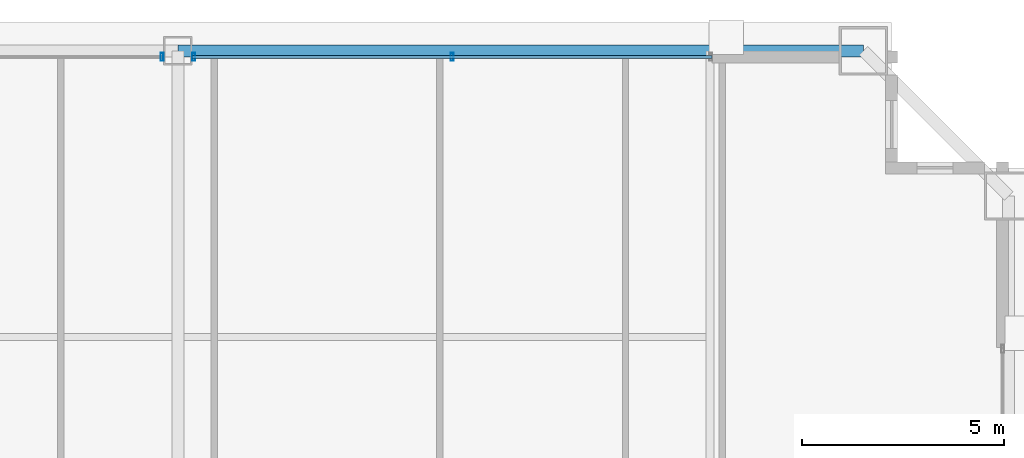
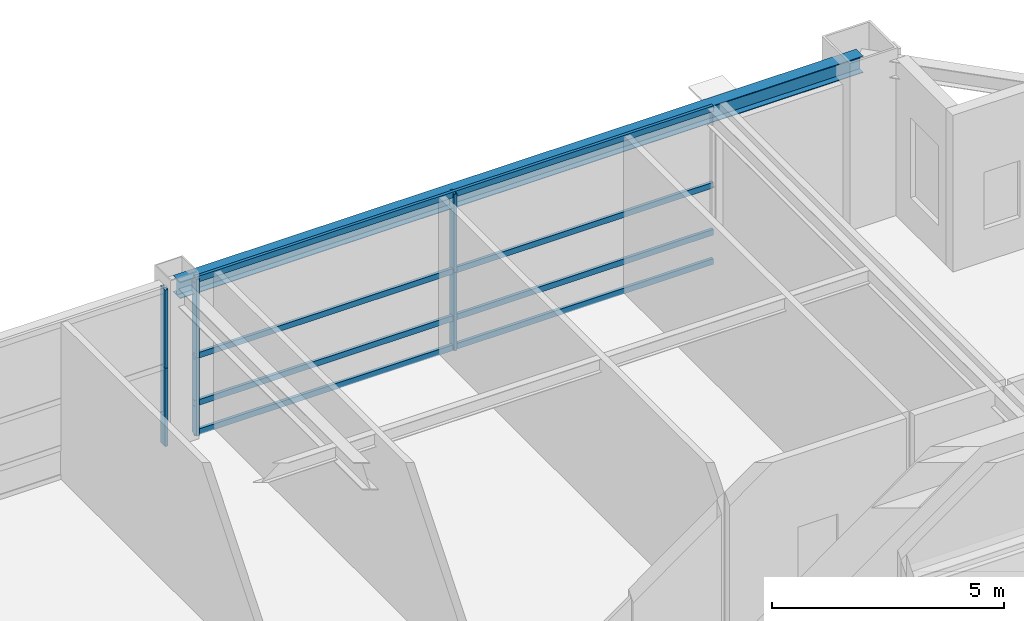
# One storey, part 20 of 26: 10 members, 1 beam, 2 elements without a shape of their own.
"""IFC4 building model written with IfcOpenShell, lengths in metres."""

from ifc_helpers import new_model, si_unit, direction, frame, origin, origin_2d, place, context, subcontext, project, spatial, hollow_rectangle, i_section, extrude, source, transform, mapped, material, layer, layer_set, material_profile, profile_set, type_object, element, aggregate, save


model = new_model("IFC4")

# Units and contexts
model_context = context("Model", 3, precision=1e-05, world=origin(), true_north=direction((0.0, 1.0)))
body_context = subcontext(model_context, "Body", "Model", "MODEL_VIEW")
ifc_project = project(units=[si_unit("LENGTHUNIT", "METRE"), si_unit("AREAUNIT", "SQUARE_METRE"), si_unit("VOLUMEUNIT", "CUBIC_METRE"), si_unit("PLANEANGLEUNIT", "RADIAN"), si_unit("MASSUNIT", "GRAM", prefix="KILO"), si_unit("THERMODYNAMICTEMPERATUREUNIT", "KELVIN"), si_unit("POWERUNIT", "WATT")], contexts=[model_context])

# Site, building, storey
site_placement = place(None, origin())
site = spatial("IfcSite", under=ifc_project, at=site_placement, CompositionType="ELEMENT")
building_placement = place(site_placement, origin())
building = spatial("IfcBuilding", under=site, at=building_placement, Name="Yuzanri Waterfront Tower", CompositionType="ELEMENT")
storey_placement = place(building_placement, frame((0.0, 0.0, 259.10009765625)))
storey = spatial("IfcBuildingStorey", under=building, at=storey_placement, Name="L69", CompositionType="ELEMENT", Elevation=259.10009765625)

# Beam
ifc_material_1 = material(Name="Steel Q355B", Category="steel")
ifc_material_profile_1 = material_profile(ifc_material_1, i_section(OverallWidth=0.300048828125, OverallDepth=0.43994140625, WebThickness=0.010986328125, FlangeThickness=0.01806640625, at=origin_2d()), Name="HM 440x300x11x18")
ifc_profile_set_1 = profile_set([ifc_material_profile_1], Name="Steel Q355B")
beam_type = type_object("IfcBeamType", Name="Perimeter Spandrel Q355B HM 440x300", PredefinedType="SPANDREL", material=ifc_profile_set_1)
shared_shape_1 = source(origin(), body_context, "Body", "SweptSolid", [
    extrude(i_section(OverallWidth=0.300048828125, OverallDepth=0.43994140625, WebThickness=0.010986328125, FlangeThickness=0.01806640625, at=origin_2d()), origin(), (0.0, 0.0, 1.0), 17.0),
])
beam_placement = place(storey_placement, frame((54.0, 46.39990234375, 3.89990234375), z_axis=(-1.0, 0.0, 0.0), x_axis=(0.0, -1.0, 0.0)))
element("IfcBeam", 1, at=beam_placement, inside=storey, type_object=beam_type, Name="L69 Perimeter Spandrel N3-N2", PredefinedType="SPANDREL", context=body_context, shape_type="MappedRepresentation", body=[
    mapped(shared_shape_1, transform((0.0, 0.0, 0.0), scale=1.0)),
])

# Curtain wall, members
ifc_material_2 = material(Name="Anodized Architectural Bronze", Category="metal")
ifc_layer = layer(ifc_material_2, 0.159912109375)
ifc_layer_set = layer_set([ifc_layer], Name="Anodized Architectural Bronze")
curtain_wall_type = type_object("IfcCurtainWallType", Name="Anodized Bronze Sky-Lobby Triple-Glazed Feature Curtain Wall 7500", PredefinedType="NOTDEFINED", material=ifc_layer_set)
curtain_wall_1_placement = place(storey_placement, origin())
curtain_wall_1 = element("IfcCurtainWall", 2, at=curtain_wall_1_placement, inside=storey, type_object=curtain_wall_type, Name="L69 Curtain Wall CW-L69-NL", PredefinedType="NOTDEFINED")
ifc_material_3 = material(Name="Anodized Architectural Bronze", Category="metal")
ifc_material_profile_2 = material_profile(ifc_material_3, hollow_rectangle(XDim=0.074951171875, YDim=0.199951171875, WallThickness=0.00390625, at=origin_2d()), Name="CWM 75x200")
ifc_profile_set_2 = profile_set([ifc_material_profile_2], Name="Anodized Architectural Bronze")
member_type_1 = type_object("IfcMemberType", Name="Anodized Bronze Primary Curtain-Wall Mullion 75x200", PredefinedType="MULLION", material=ifc_profile_set_2)
shared_shape_2 = source(origin(), body_context, "Body", "SweptSolid", [
    extrude(hollow_rectangle(XDim=0.074951171875, YDim=0.199951171875, WallThickness=0.00390625, at=origin_2d()), origin(), (0.0, 0.0, 1.0), 2.057861328125),
])
member_1_placement = place(storey_placement, frame((36.610107421875, 46.25, 0.0), z_axis=(0.0, 0.0, 1.0), x_axis=(1.0, 0.0, 0.0)))
member_1 = element("IfcMember", 3, at=member_1_placement, type_object=member_type_1, Name="CW-L69-NL Lower Mullion 02", PredefinedType="MULLION", context=body_context, shape_type="MappedRepresentation", body=[
    mapped(shared_shape_2, transform((0.0, 0.0, 0.0), scale=1.0)),
])
member_2_placement = place(storey_placement, frame((36.610107421875, 46.25, 2.06201171875), z_axis=(0.0, 0.0, 1.0), x_axis=(1.0, 0.0, 0.0)))
member_2 = element("IfcMember", 4, at=member_2_placement, type_object=member_type_1, Name="CW-L69-NL Upper Mullion 02", PredefinedType="MULLION", context=body_context, shape_type="MappedRepresentation", body=[
    mapped(shared_shape_2, transform((0.0, 0.0, 0.0), scale=1.0)),
])
aggregate(curtain_wall_1, [member_1, member_2])

curtain_wall_2_placement = place(storey_placement, origin())
curtain_wall_2 = element("IfcCurtainWall", 5, at=curtain_wall_2_placement, inside=storey, type_object=curtain_wall_type, Name="L69 Curtain Wall CW-L69-NR", PredefinedType="NOTDEFINED")
member_3_placement = place(storey_placement, frame((37.389892578125, 46.25, 0.0), z_axis=(0.0, 0.0, 1.0), x_axis=(1.0, 0.0, 0.0)))
member_3 = element("IfcMember", 6, at=member_3_placement, type_object=member_type_1, Name="CW-L69-NR Lower Mullion 00", PredefinedType="MULLION", context=body_context, shape_type="MappedRepresentation", body=[
    mapped(shared_shape_2, transform((0.0, 0.0, 0.0), scale=1.0)),
])
member_4_placement = place(storey_placement, frame((37.389892578125, 46.25, 2.06201171875), z_axis=(0.0, 0.0, 1.0), x_axis=(1.0, 0.0, 0.0)))
member_4 = element("IfcMember", 7, at=member_4_placement, type_object=member_type_1, Name="CW-L69-NR Upper Mullion 00", PredefinedType="MULLION", context=body_context, shape_type="MappedRepresentation", body=[
    mapped(shared_shape_2, transform((0.0, 0.0, 0.0), scale=1.0)),
])
member_5_placement = place(storey_placement, frame((43.800048828125, 46.25, 0.0), z_axis=(0.0, 0.0, 1.0), x_axis=(1.0, 0.0, 0.0)))
member_5 = element("IfcMember", 8, at=member_5_placement, type_object=member_type_1, Name="CW-L69-NR Lower Mullion 01", PredefinedType="MULLION", context=body_context, shape_type="MappedRepresentation", body=[
    mapped(shared_shape_2, transform((0.0, 0.0, 0.0), scale=1.0)),
])
member_6_placement = place(storey_placement, frame((43.800048828125, 46.25, 2.06201171875), z_axis=(0.0, 0.0, 1.0), x_axis=(1.0, 0.0, 0.0)))
member_6 = element("IfcMember", 9, at=member_6_placement, type_object=member_type_1, Name="CW-L69-NR Upper Mullion 01", PredefinedType="MULLION", context=body_context, shape_type="MappedRepresentation", body=[
    mapped(shared_shape_2, transform((0.0, 0.0, 0.0), scale=1.0)),
])
ifc_material_4 = material(Name="Anodized Architectural Bronze", Category="metal")
ifc_material_profile_3 = material_profile(ifc_material_4, hollow_rectangle(XDim=0.074951171875, YDim=0.14990234375, WallThickness=0.00390625, at=origin_2d()), Name="CWT 75x150")
ifc_profile_set_3 = profile_set([ifc_material_profile_3], Name="Anodized Architectural Bronze")
member_type_2 = type_object("IfcMemberType", Name="Anodized Bronze Primary Curtain-Wall Transom 75x150", PredefinedType="USERDEFINED", material=ifc_profile_set_3)
shared_shape_3 = source(origin(), body_context, "Body", "SweptSolid", [
    extrude(hollow_rectangle(XDim=0.074951171875, YDim=0.14990234375, WallThickness=0.00390625, at=origin_2d()), origin(), (0.0, 0.0, 1.0), 12.89990234375),
])
member_7_placement = place(storey_placement, frame((37.35009765625, 46.25, 0.0498046875), z_axis=(1.0, 0.0, 0.0), x_axis=(0.0, 1.0, 0.0)))
member_7 = element("IfcMember", 10, at=member_7_placement, type_object=member_type_2, Name="CW-L69-NR Transom 1", ObjectType="TRANSOM", PredefinedType="USERDEFINED", context=body_context, shape_type="MappedRepresentation", body=[
    mapped(shared_shape_3, transform((0.0, 0.0, 0.0), scale=1.0)),
])
member_8_placement = place(storey_placement, frame((37.35009765625, 46.25, 0.81982421875), z_axis=(1.0, 0.0, 0.0), x_axis=(0.0, 1.0, 0.0)))
member_8 = element("IfcMember", 11, at=member_8_placement, type_object=member_type_2, Name="CW-L69-NR Transom 2", ObjectType="TRANSOM", PredefinedType="USERDEFINED", context=body_context, shape_type="MappedRepresentation", body=[
    mapped(shared_shape_3, transform((0.0, 0.0, 0.0), scale=1.0)),
])
member_9_placement = place(storey_placement, frame((37.35009765625, 46.25, 2.059814453125), z_axis=(1.0, 0.0, 0.0), x_axis=(0.0, 1.0, 0.0)))
member_9 = element("IfcMember", 12, at=member_9_placement, type_object=member_type_2, Name="CW-L69-NR Transom 3", ObjectType="TRANSOM", PredefinedType="USERDEFINED", context=body_context, shape_type="MappedRepresentation", body=[
    mapped(shared_shape_3, transform((0.0, 0.0, 0.0), scale=1.0)),
])
member_10_placement = place(storey_placement, frame((37.35009765625, 46.25, 4.06982421875), z_axis=(1.0, 0.0, 0.0), x_axis=(0.0, 1.0, 0.0)))
member_10 = element("IfcMember", 13, at=member_10_placement, type_object=member_type_2, Name="CW-L69-NR Transom 4", ObjectType="TRANSOM", PredefinedType="USERDEFINED", context=body_context, shape_type="MappedRepresentation", body=[
    mapped(shared_shape_3, transform((0.0, 0.0, 0.0), scale=1.0)),
])
aggregate(curtain_wall_2, [member_3, member_4, member_5, member_6, member_7, member_8, member_9, member_10])

save(model, "model.ifc")
